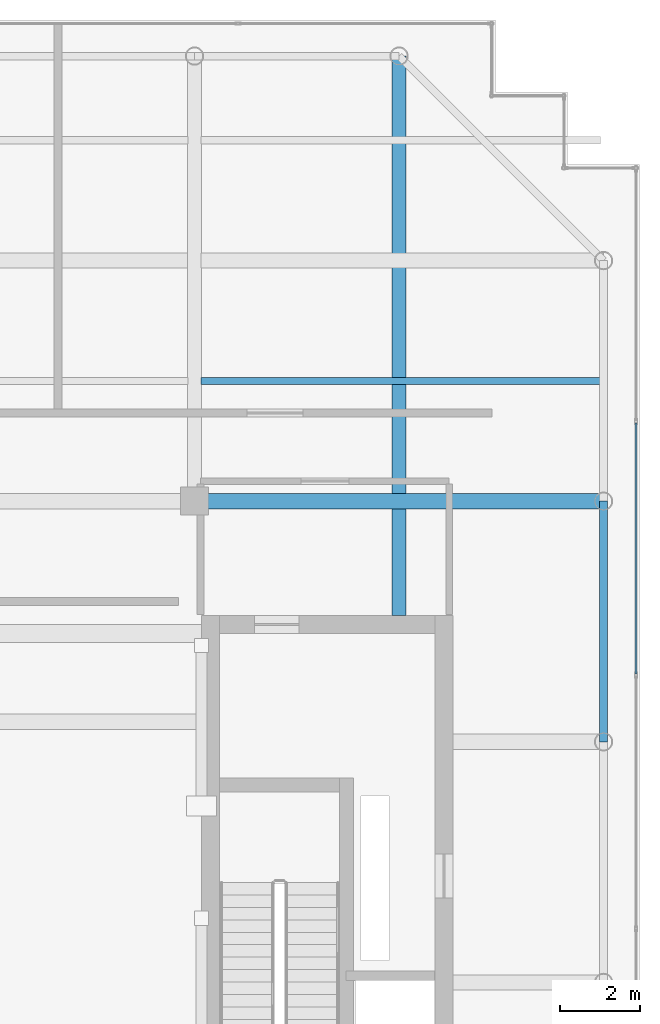
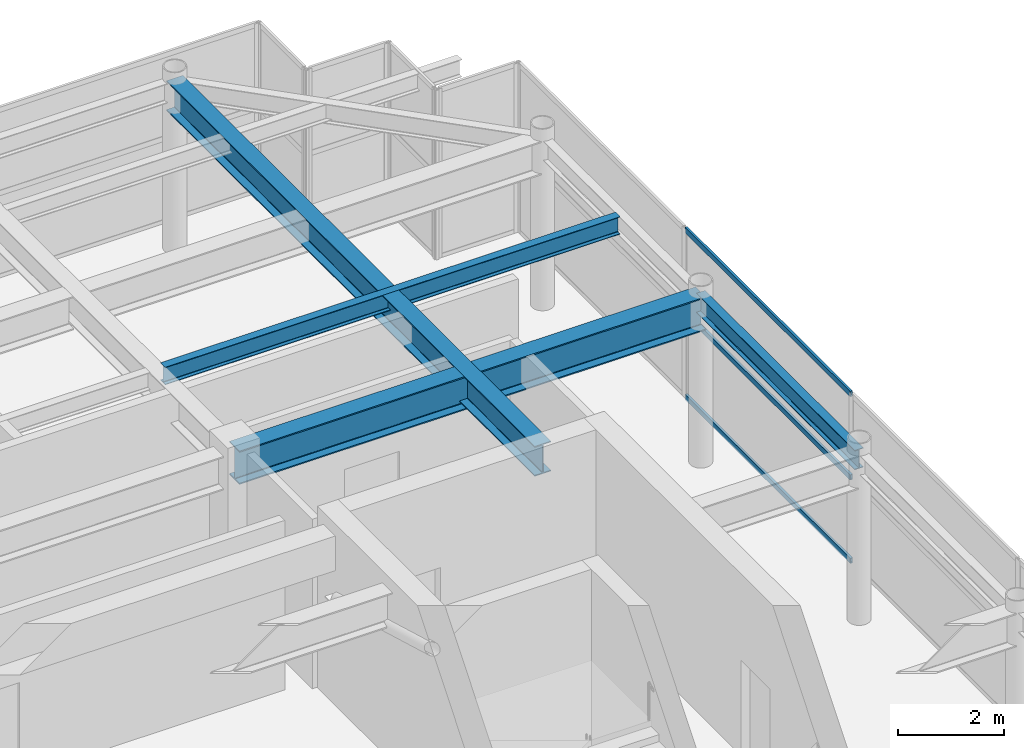
# One storey, part 18 of 32: 4 beams, 3 members, 1 element without a shape of its own.
"""IFC4 building model written with IfcOpenShell, lengths in metres."""

from ifc_helpers import new_model, si_unit, direction, frame, origin, origin_2d, place, context, subcontext, project, spatial, hollow_rectangle, i_section, extrude, source, transform, mapped, material, layer, layer_set, material_profile, profile_set, type_object, element, aggregate, save


model = new_model("IFC4")

# Units and contexts
model_context = context("Model", 3, precision=1e-05, world=origin(), true_north=direction((0.0, 1.0)))
body_context = subcontext(model_context, "Body", "Model", "MODEL_VIEW")
ifc_project = project(units=[si_unit("LENGTHUNIT", "METRE"), si_unit("AREAUNIT", "SQUARE_METRE"), si_unit("VOLUMEUNIT", "CUBIC_METRE"), si_unit("PLANEANGLEUNIT", "RADIAN"), si_unit("MASSUNIT", "GRAM", prefix="KILO")], contexts=[model_context])

# Site, building, storey
site_placement = place(None, origin())
site = spatial("IfcSite", under=ifc_project, at=site_placement, CompositionType="ELEMENT")
building_placement = place(site_placement, origin())
building = spatial("IfcBuilding", under=site, at=building_placement, Name="Khoralis Quay Care Tower", CompositionType="ELEMENT")
storey_placement = place(building_placement, frame((0.0, 0.0, 310.5)))
storey = spatial("IfcBuildingStorey", under=building, at=storey_placement, Name="L81", CompositionType="ELEMENT", Elevation=310.5)

# Beams
ifc_material_1 = material(Name="Steel S355", Category="steel")
ifc_material_profile_1 = material_profile(ifc_material_1, i_section(OverallWidth=0.18994140625, OverallDepth=0.449951171875, WebThickness=0.009521484375, FlangeThickness=0.0146484375, FilletRadius=0.02099609375, at=origin_2d()), Name="Steel S355")
ifc_profile_set_1 = profile_set([ifc_material_profile_1], Name="Steel S355")
beam_type_1 = type_object("IfcBeamType", Name="BM-IPE450", PredefinedType="SPANDREL", material=ifc_profile_set_1)
shared_shape_1 = source(origin(), body_context, "Body", "SweptSolid", [
    extrude(i_section(OverallWidth=0.18994140625, OverallDepth=0.449951171875, WebThickness=0.009521484375, FlangeThickness=0.0146484375, FilletRadius=0.02099609375, at=origin_2d()), origin(), (0.0, 0.0, 1.0), 6.0),
])
beam_1_placement = place(storey_placement, frame((41.10009765625, 24.0, 3.695068359375), z_axis=(0.0, 1.0, 0.0), x_axis=(-1.0, 0.0, 0.0)))
element("IfcBeam", 1, at=beam_1_placement, inside=storey, type_object=beam_type_1, Name="BM-TSP-L81-15", PredefinedType="SPANDREL", context=body_context, shape_type="MappedRepresentation", body=[
    mapped(shared_shape_1, transform((0.0, 0.0, 0.0), scale=1.0)),
])
ifc_material_profile_2 = material_profile(ifc_material_1, i_section(OverallWidth=0.381103515625, OverallDepth=0.77294921875, WebThickness=0.0166015625, FlangeThickness=0.027587890625, FilletRadius=0.02197265625, at=origin_2d()), Name="Steel S355")
ifc_profile_set_2 = profile_set([ifc_material_profile_2], Name="Steel S355")
beam_type_2 = type_object("IfcBeamType", Name="BM-W760X257", PredefinedType="BEAM", material=ifc_profile_set_2)
shared_shape_2 = source(origin(), body_context, "Body", "SweptSolid", [
    extrude(i_section(OverallWidth=0.381103515625, OverallDepth=0.77294921875, WebThickness=0.0166015625, FlangeThickness=0.027587890625, FilletRadius=0.02197265625, at=origin_2d()), origin(), (0.0, 0.0, 1.0), 10.2001953125),
])
beam_2_placement = place(storey_placement, frame((30.89990234375, 30.0, 3.533447265625), z_axis=(1.0, 0.0, 0.0), x_axis=(0.0, 1.0, 0.0)))
element("IfcBeam", 2, at=beam_2_placement, inside=storey, type_object=beam_type_2, Name="BM-TGXE-L81-300", PredefinedType="BEAM", context=body_context, shape_type="MappedRepresentation", body=[
    mapped(shared_shape_2, transform((0.0, 0.0, 0.0), scale=1.0)),
])
ifc_material_profile_3 = material_profile(ifc_material_1, i_section(OverallWidth=0.35498046875, OverallDepth=0.695068359375, WebThickness=0.015380859375, FlangeThickness=0.02490234375, FilletRadius=0.02001953125, at=origin_2d()), Name="Steel S355")
ifc_profile_set_3 = profile_set([ifc_material_profile_3], Name="Steel S355")
beam_type_3 = type_object("IfcBeamType", Name="BM-W690X217", PredefinedType="BEAM", material=ifc_profile_set_3)
shared_shape_3 = source(origin(), body_context, "Body", "SweptSolid", [
    extrude(i_section(OverallWidth=0.35498046875, OverallDepth=0.695068359375, WebThickness=0.015380859375, FlangeThickness=0.02490234375, FilletRadius=0.02001953125, at=origin_2d()), origin(), (0.0, 0.0, 1.0), 13.9521484375),
])
beam_3_placement = place(storey_placement, frame((36.0, 27.14794921875, 3.572509765625), z_axis=(0.0, 1.0, 0.0), x_axis=(-1.0, 0.0, 0.0)))
element("IfcBeam", 3, at=beam_3_placement, inside=storey, type_object=beam_type_3, Name="BM-TGYN-L81-360", PredefinedType="BEAM", context=body_context, shape_type="MappedRepresentation", body=[
    mapped(shared_shape_3, transform((0.0, 0.0, 0.0), scale=1.0)),
])
ifc_material_profile_4 = material_profile(ifc_material_1, i_section(OverallWidth=0.177978515625, OverallDepth=0.406982421875, WebThickness=0.0078125, FlangeThickness=0.0126953125, FilletRadius=0.012939453125, at=origin_2d()), Name="Steel S355")
ifc_profile_set_4 = profile_set([ifc_material_profile_4], Name="Steel S355")
beam_type_4 = type_object("IfcBeamType", Name="BM-W410X60", PredefinedType="JOIST", material=ifc_profile_set_4)
shared_shape_4 = source(origin(), body_context, "Body", "SweptSolid", [
    extrude(i_section(OverallWidth=0.177978515625, OverallDepth=0.406982421875, WebThickness=0.0078125, FlangeThickness=0.0126953125, FilletRadius=0.012939453125, at=origin_2d()), origin(), (0.0, 0.0, 1.0), 9.95361328125),
])
beam_4_placement = place(storey_placement, frame((31.0654296875, 33.0, 3.716552734375), z_axis=(1.0, 0.0, 0.0), x_axis=(0.0, 1.0, 0.0)))
element("IfcBeam", 4, at=beam_4_placement, inside=storey, type_object=beam_type_4, Name="BM-TJS-L81-25", PredefinedType="JOIST", context=body_context, shape_type="MappedRepresentation", body=[
    mapped(shared_shape_4, transform((0.0, 0.0, 0.0), scale=1.0)),
])

# Curtain wall, members
ifc_material_2 = material(Name="Pale anodised aluminium", Category="aluminium")
ifc_layer = layer(ifc_material_2, 0.199951171875)
ifc_layer_set = layer_set([ifc_layer], Name="Pale anodised aluminium")
curtain_wall_type = type_object("IfcCurtainWallType", Name="CW-SYS-LANTERN", PredefinedType="NOTDEFINED", material=ifc_layer_set)
curtain_wall_placement = place(storey_placement, origin())
curtain_wall = element("IfcCurtainWall", 5, at=curtain_wall_placement, inside=storey, type_object=curtain_wall_type, Name="L81 Unitised Curtain Wall CW-LN-L81-06", PredefinedType="NOTDEFINED")
ifc_material_profile_5 = material_profile(ifc_material_2, hollow_rectangle(XDim=0.054931640625, YDim=0.1201171875, WallThickness=0.00390625, at=origin_2d()), Name="Pale anodised aluminium")
ifc_profile_set_5 = profile_set([ifc_material_profile_5], Name="Pale anodised aluminium")
member_type = type_object("IfcMemberType", Name="CW-TRN-120", PredefinedType="USERDEFINED", material=ifc_profile_set_5)
shared_shape_5 = source(origin(), body_context, "Body", "SweptSolid", [
    extrude(hollow_rectangle(XDim=0.054931640625, YDim=0.1201171875, WallThickness=0.00390625, at=origin_2d()), origin(), (0.0, 0.0, 1.0), 6.26416015625),
])
member_1_placement = place(storey_placement, frame((41.909912109375, 25.69189453125, 0.030029296875), z_axis=(0.0, 1.0, 0.0), x_axis=(-1.0, 0.0, 0.0)))
member_1 = element("IfcMember", 6, at=member_1_placement, type_object=member_type, Name="CW5 transom 4.1", ObjectType="TRANSOM", PredefinedType="USERDEFINED", context=body_context, shape_type="MappedRepresentation", body=[
    mapped(shared_shape_5, transform((0.0, 0.0, 0.0), scale=1.0)),
])
member_2_placement = place(storey_placement, frame((41.909912109375, 25.69189453125, 1.9599609375), z_axis=(0.0, 1.0, 0.0), x_axis=(-1.0, 0.0, 0.0)))
member_2 = element("IfcMember", 7, at=member_2_placement, type_object=member_type, Name="CW5 transom 4.2", ObjectType="TRANSOM", PredefinedType="USERDEFINED", context=body_context, shape_type="MappedRepresentation", body=[
    mapped(shared_shape_5, transform((0.0, 0.0, 0.0), scale=1.0)),
])
member_3_placement = place(storey_placement, frame((41.909912109375, 25.69189453125, 3.889892578125), z_axis=(0.0, 1.0, 0.0), x_axis=(-1.0, 0.0, 0.0)))
member_3 = element("IfcMember", 8, at=member_3_placement, type_object=member_type, Name="CW5 transom 4.3", ObjectType="TRANSOM", PredefinedType="USERDEFINED", context=body_context, shape_type="MappedRepresentation", body=[
    mapped(shared_shape_5, transform((0.0, 0.0, 0.0), scale=1.0)),
])
aggregate(curtain_wall, [member_1, member_2, member_3])

save(model, "model.ifc")
